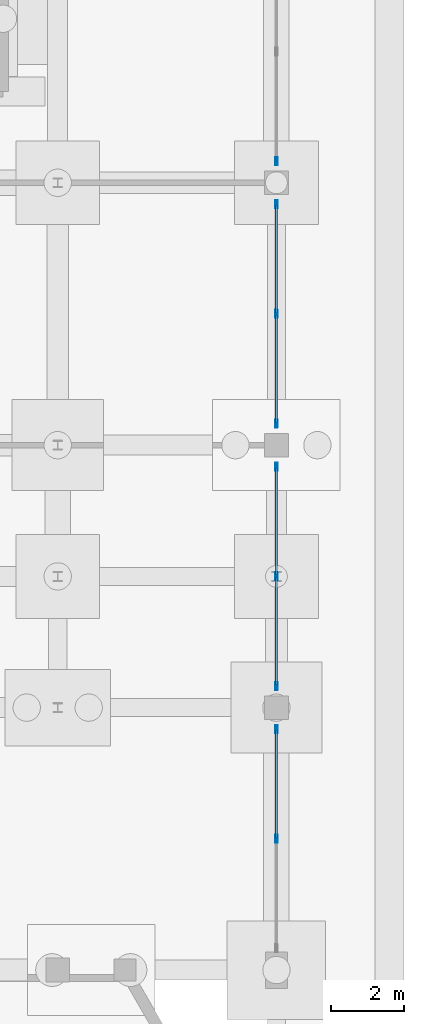
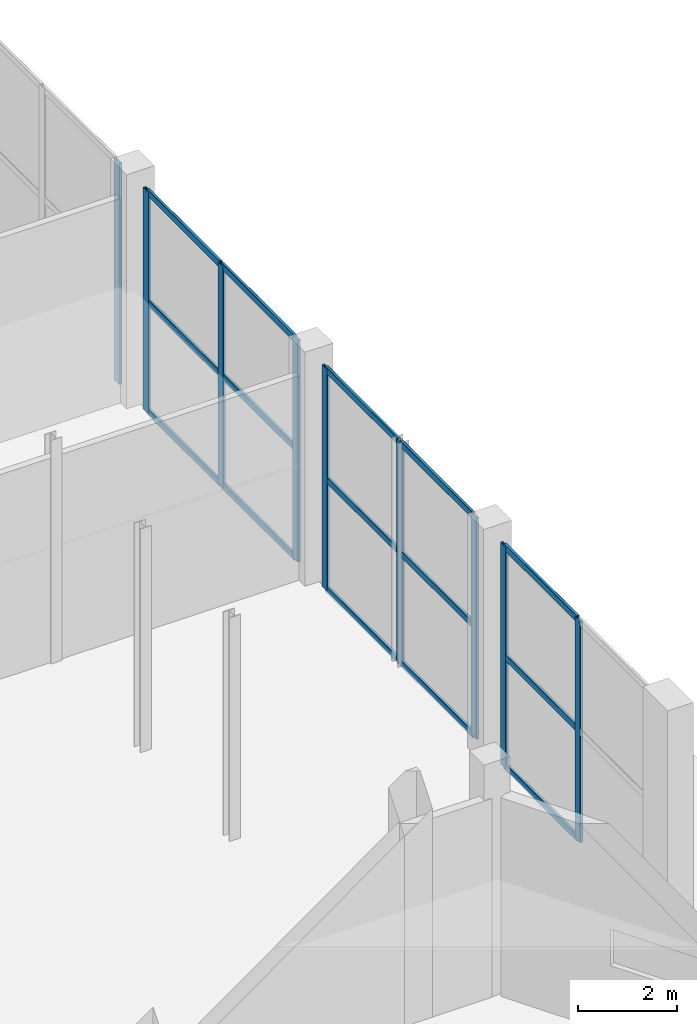
# One storey, part 66 of 103: 24 members, 4 elements without a shape of their own.
"""IFC4 building model written with IfcOpenShell, lengths in metres."""

from ifc_helpers import new_model, si_unit, direction, frame, origin, origin_2d, place, context, subcontext, project, spatial, hollow_rectangle, extrude, material, layer, layer_set, material_profile, profile_set, type_object, element, aggregate, save


model = new_model("IFC4")

# Units and contexts
model_context = context("Model", 3, precision=1e-05, world=origin(), true_north=direction((0.0, 1.0)))
body_context = subcontext(model_context, "Body", "Model", "MODEL_VIEW")
ifc_project = project(units=[si_unit("LENGTHUNIT", "METRE"), si_unit("AREAUNIT", "SQUARE_METRE"), si_unit("VOLUMEUNIT", "CUBIC_METRE"), si_unit("PLANEANGLEUNIT", "RADIAN"), si_unit("MASSUNIT", "GRAM", prefix="KILO")], contexts=[model_context])

# Site, building, storey
site_placement = place(None, origin())
site = spatial("IfcSite", under=ifc_project, at=site_placement, CompositionType="ELEMENT")
building_placement = place(site_placement, origin())
building = spatial("IfcBuilding", under=site, at=building_placement, Name="Dunvalen Ferry Terminal", CompositionType="ELEMENT")
storey_placement = place(building_placement, origin())
storey = spatial("IfcBuildingStorey", under=building, at=storey_placement, Name="L00", CompositionType="ELEMENT", Elevation=0.0)

# Curtain wall, members
ifc_material_1 = material(Name="Anodised marine aluminium and solar-control glazing", Category="aluminium")
ifc_layer = layer(ifc_material_1, 0.219970703125, Name="Anodised marine aluminium and solar-control glazing")
ifc_layer_set = layer_set([ifc_layer], Name="Anodised marine aluminium and solar-control glazing")
curtain_wall_type = type_object("IfcCurtainWallType", Name="ENV-CW-SYS-03", PredefinedType="NOTDEFINED", material=ifc_layer_set)
curtain_wall_1_placement = place(storey_placement, origin())
curtain_wall_1 = element("IfcCurtainWall", 1, at=curtain_wall_1_placement, inside=storey, type_object=curtain_wall_type, Name="L00 Curtain Wall CW-V2E-L00-1", PredefinedType="NOTDEFINED")
ifc_material_2 = material(Name="Anodised marine aluminium EN AW-6063 T6", Category="aluminium")
ifc_material_profile_1 = material_profile(ifc_material_2, hollow_rectangle(XDim=0.06494140625, YDim=0.219970703125, WallThickness=0.00390625, InnerFilletRadius=0.00390625, OuterFilletRadius=0.008056640625, at=origin_2d()), Name="Anodised marine aluminium EN AW-6063 T6")
ifc_profile_set_1 = profile_set([ifc_material_profile_1], Name="Anodised marine aluminium EN AW-6063 T6")
member_type_1 = type_object("IfcMemberType", Name="ENV-CW-MUL-1", PredefinedType="MULLION", material=ifc_profile_set_1)
member_1_placement = place(storey_placement, frame((168.0, 61.199951171875, 0.0), z_axis=(0.0, 0.0, 1.0), x_axis=(-1.0, 0.0, 0.0)))
member_1 = element("IfcMember", 2, at=member_1_placement, type_object=member_type_1, Name="CW-03 mullion 2", PredefinedType="MULLION", context=body_context, shape_type="SweptSolid", body=[
    extrude(hollow_rectangle(XDim=0.06494140625, YDim=0.219970703125, WallThickness=0.00390625, InnerFilletRadius=0.00390625, OuterFilletRadius=0.008056640625, at=origin_2d()), origin(), (0.0, 0.0, 1.0), 5.449951171875),
])
member_2_placement = place(storey_placement, frame((168.0, 64.20751953125, 0.0), z_axis=(0.0, 0.0, 1.0), x_axis=(-1.0, 0.0, 0.0)))
member_2 = element("IfcMember", 3, at=member_2_placement, type_object=member_type_1, Name="CW-03 mullion 3", PredefinedType="MULLION", context=body_context, shape_type="SweptSolid", body=[
    extrude(hollow_rectangle(XDim=0.06494140625, YDim=0.219970703125, WallThickness=0.00390625, InnerFilletRadius=0.00390625, OuterFilletRadius=0.008056640625, at=origin_2d()), origin(), (0.0, 0.0, 1.0), 5.449951171875),
])

curtain_wall_2_placement = place(storey_placement, origin())
curtain_wall_2 = element("IfcCurtainWall", 4, at=curtain_wall_2_placement, inside=storey, type_object=curtain_wall_type, Name="L00 Curtain Wall CW-V2E-L00-2", PredefinedType="NOTDEFINED")
member_3_placement = place(storey_placement, frame((168.0, 65.392578125, 0.0), z_axis=(0.0, 0.0, 1.0), x_axis=(-1.0, 0.0, 0.0)))
member_3 = element("IfcMember", 5, at=member_3_placement, type_object=member_type_1, Name="CW-03 mullion 1", PredefinedType="MULLION", context=body_context, shape_type="SweptSolid", body=[
    extrude(hollow_rectangle(XDim=0.06494140625, YDim=0.219970703125, WallThickness=0.00390625, InnerFilletRadius=0.00390625, OuterFilletRadius=0.008056640625, at=origin_2d()), origin(), (0.0, 0.0, 1.0), 5.449951171875),
])
member_4_placement = place(storey_placement, frame((168.0, 68.39990234375, 0.0), z_axis=(0.0, 0.0, 1.0), x_axis=(-1.0, 0.0, 0.0)))
member_4 = element("IfcMember", 6, at=member_4_placement, type_object=member_type_1, Name="CW-03 mullion 2", PredefinedType="MULLION", context=body_context, shape_type="SweptSolid", body=[
    extrude(hollow_rectangle(XDim=0.06494140625, YDim=0.219970703125, WallThickness=0.00390625, InnerFilletRadius=0.00390625, OuterFilletRadius=0.008056640625, at=origin_2d()), origin(), (0.0, 0.0, 1.0), 5.449951171875),
])
member_5_placement = place(storey_placement, frame((168.0, 71.407470703125, 0.0), z_axis=(0.0, 0.0, 1.0), x_axis=(-1.0, 0.0, 0.0)))
member_5 = element("IfcMember", 7, at=member_5_placement, type_object=member_type_1, Name="CW-03 mullion 3", PredefinedType="MULLION", context=body_context, shape_type="SweptSolid", body=[
    extrude(hollow_rectangle(XDim=0.06494140625, YDim=0.219970703125, WallThickness=0.00390625, InnerFilletRadius=0.00390625, OuterFilletRadius=0.008056640625, at=origin_2d()), origin(), (0.0, 0.0, 1.0), 5.449951171875),
])

curtain_wall_3_placement = place(storey_placement, origin())
curtain_wall_3 = element("IfcCurtainWall", 8, at=curtain_wall_3_placement, inside=storey, type_object=curtain_wall_type, Name="L00 Curtain Wall CW-V2E-L00-3", PredefinedType="NOTDEFINED")
member_6_placement = place(storey_placement, frame((168.0, 72.592529296875, 0.0), z_axis=(0.0, 0.0, 1.0), x_axis=(-1.0, 0.0, 0.0)))
member_6 = element("IfcMember", 9, at=member_6_placement, type_object=member_type_1, Name="CW-03 mullion 1", PredefinedType="MULLION", context=body_context, shape_type="SweptSolid", body=[
    extrude(hollow_rectangle(XDim=0.06494140625, YDim=0.219970703125, WallThickness=0.00390625, InnerFilletRadius=0.00390625, OuterFilletRadius=0.008056640625, at=origin_2d()), origin(), (0.0, 0.0, 1.0), 5.449951171875),
])
member_7_placement = place(storey_placement, frame((168.0, 75.60009765625, 0.0), z_axis=(0.0, 0.0, 1.0), x_axis=(-1.0, 0.0, 0.0)))
member_7 = element("IfcMember", 10, at=member_7_placement, type_object=member_type_1, Name="CW-03 mullion 2", PredefinedType="MULLION", context=body_context, shape_type="SweptSolid", body=[
    extrude(hollow_rectangle(XDim=0.06494140625, YDim=0.219970703125, WallThickness=0.00390625, InnerFilletRadius=0.00390625, OuterFilletRadius=0.008056640625, at=origin_2d()), origin(), (0.0, 0.0, 1.0), 5.449951171875),
])
member_8_placement = place(storey_placement, frame((168.0, 78.607421875, 0.0), z_axis=(0.0, 0.0, 1.0), x_axis=(-1.0, 0.0, 0.0)))
member_8 = element("IfcMember", 11, at=member_8_placement, type_object=member_type_1, Name="CW-03 mullion 3", PredefinedType="MULLION", context=body_context, shape_type="SweptSolid", body=[
    extrude(hollow_rectangle(XDim=0.06494140625, YDim=0.219970703125, WallThickness=0.00390625, InnerFilletRadius=0.00390625, OuterFilletRadius=0.008056640625, at=origin_2d()), origin(), (0.0, 0.0, 1.0), 5.449951171875),
])

# Curtain wall, member
curtain_wall_4_placement = place(storey_placement, origin())
curtain_wall_4 = element("IfcCurtainWall", 12, at=curtain_wall_4_placement, inside=storey, type_object=curtain_wall_type, Name="L00 Curtain Wall CW-V2E-L00-4", PredefinedType="NOTDEFINED")
member_9_placement = place(storey_placement, frame((168.0, 79.79248046875, 0.0), z_axis=(0.0, 0.0, 1.0), x_axis=(-1.0, 0.0, 0.0)))
member_9 = element("IfcMember", 13, at=member_9_placement, type_object=member_type_1, Name="CW-03 mullion 1", PredefinedType="MULLION", context=body_context, shape_type="SweptSolid", body=[
    extrude(hollow_rectangle(XDim=0.06494140625, YDim=0.219970703125, WallThickness=0.00390625, InnerFilletRadius=0.00390625, OuterFilletRadius=0.008056640625, at=origin_2d()), origin(), (0.0, 0.0, 1.0), 5.449951171875),
])
aggregate(curtain_wall_4, [member_9])

# Member
ifc_material_profile_2 = material_profile(ifc_material_2, hollow_rectangle(XDim=0.06494140625, YDim=0.159912109375, WallThickness=0.00341796875, InnerFilletRadius=0.00341796875, OuterFilletRadius=0.007080078125, at=origin_2d()), Name="Anodised marine aluminium EN AW-6063 T6")
ifc_profile_set_2 = profile_set([ifc_material_profile_2], Name="Anodised marine aluminium EN AW-6063 T6")
member_type_2 = type_object("IfcMemberType", Name="ENV-CW-TRN-1", PredefinedType="USERDEFINED", material=ifc_profile_set_2)
member_10_placement = place(storey_placement, frame((168.0, 61.232421875, 0.032470703125), z_axis=(0.0, 1.0, 0.0), x_axis=(-1.0, 0.0, 0.0)))
member_10 = element("IfcMember", 14, at=member_10_placement, type_object=member_type_2, Name="CW-03 transom 2.1", ObjectType="TRANSOM", PredefinedType="USERDEFINED", context=body_context, shape_type="SweptSolid", body=[
    extrude(hollow_rectangle(XDim=0.06494140625, YDim=0.159912109375, WallThickness=0.00341796875, InnerFilletRadius=0.00341796875, OuterFilletRadius=0.007080078125, at=origin_2d()), origin(), (0.0, 0.0, 1.0), 2.942626953125),
])

member_11_placement = place(storey_placement, frame((168.0, 61.232421875, 2.72509765625), z_axis=(0.0, 1.0, 0.0), x_axis=(-1.0, 0.0, 0.0)))
member_11 = element("IfcMember", 15, at=member_11_placement, type_object=member_type_2, Name="CW-03 transom 2.2", ObjectType="TRANSOM", PredefinedType="USERDEFINED", context=body_context, shape_type="SweptSolid", body=[
    extrude(hollow_rectangle(XDim=0.06494140625, YDim=0.159912109375, WallThickness=0.00341796875, InnerFilletRadius=0.00341796875, OuterFilletRadius=0.007080078125, at=origin_2d()), origin(), (0.0, 0.0, 1.0), 2.942626953125),
])

member_12_placement = place(storey_placement, frame((168.0, 61.232421875, 5.41748046875), z_axis=(0.0, 1.0, 0.0), x_axis=(-1.0, 0.0, 0.0)))
member_12 = element("IfcMember", 16, at=member_12_placement, type_object=member_type_2, Name="CW-03 transom 2.3", ObjectType="TRANSOM", PredefinedType="USERDEFINED", context=body_context, shape_type="SweptSolid", body=[
    extrude(hollow_rectangle(XDim=0.06494140625, YDim=0.159912109375, WallThickness=0.00341796875, InnerFilletRadius=0.00341796875, OuterFilletRadius=0.007080078125, at=origin_2d()), origin(), (0.0, 0.0, 1.0), 2.942626953125),
])

aggregate(curtain_wall_1, [member_1, member_2, member_10, member_11, member_12])

member_13_placement = place(storey_placement, frame((168.0, 65.425048828125, 0.032470703125), z_axis=(0.0, 1.0, 0.0), x_axis=(-1.0, 0.0, 0.0)))
member_13 = element("IfcMember", 17, at=member_13_placement, type_object=member_type_2, Name="CW-03 transom 1.1", ObjectType="TRANSOM", PredefinedType="USERDEFINED", context=body_context, shape_type="SweptSolid", body=[
    extrude(hollow_rectangle(XDim=0.06494140625, YDim=0.159912109375, WallThickness=0.00341796875, InnerFilletRadius=0.00341796875, OuterFilletRadius=0.007080078125, at=origin_2d()), origin(), (0.0, 0.0, 1.0), 2.9423828125),
])

member_14_placement = place(storey_placement, frame((168.0, 65.425048828125, 2.72509765625), z_axis=(0.0, 1.0, 0.0), x_axis=(-1.0, 0.0, 0.0)))
member_14 = element("IfcMember", 18, at=member_14_placement, type_object=member_type_2, Name="CW-03 transom 1.2", ObjectType="TRANSOM", PredefinedType="USERDEFINED", context=body_context, shape_type="SweptSolid", body=[
    extrude(hollow_rectangle(XDim=0.06494140625, YDim=0.159912109375, WallThickness=0.00341796875, InnerFilletRadius=0.00341796875, OuterFilletRadius=0.007080078125, at=origin_2d()), origin(), (0.0, 0.0, 1.0), 2.9423828125),
])

member_15_placement = place(storey_placement, frame((168.0, 65.425048828125, 5.41748046875), z_axis=(0.0, 1.0, 0.0), x_axis=(-1.0, 0.0, 0.0)))
member_15 = element("IfcMember", 19, at=member_15_placement, type_object=member_type_2, Name="CW-03 transom 1.3", ObjectType="TRANSOM", PredefinedType="USERDEFINED", context=body_context, shape_type="SweptSolid", body=[
    extrude(hollow_rectangle(XDim=0.06494140625, YDim=0.159912109375, WallThickness=0.00341796875, InnerFilletRadius=0.00341796875, OuterFilletRadius=0.007080078125, at=origin_2d()), origin(), (0.0, 0.0, 1.0), 2.9423828125),
])

member_16_placement = place(storey_placement, frame((168.0, 68.4326171875, 0.032470703125), z_axis=(0.0, 1.0, 0.0), x_axis=(-1.0, 0.0, 0.0)))
member_16 = element("IfcMember", 20, at=member_16_placement, type_object=member_type_2, Name="CW-03 transom 2.1", ObjectType="TRANSOM", PredefinedType="USERDEFINED", context=body_context, shape_type="SweptSolid", body=[
    extrude(hollow_rectangle(XDim=0.06494140625, YDim=0.159912109375, WallThickness=0.00341796875, InnerFilletRadius=0.00341796875, OuterFilletRadius=0.007080078125, at=origin_2d()), origin(), (0.0, 0.0, 1.0), 2.9423828125),
])

member_17_placement = place(storey_placement, frame((168.0, 68.4326171875, 2.72509765625), z_axis=(0.0, 1.0, 0.0), x_axis=(-1.0, 0.0, 0.0)))
member_17 = element("IfcMember", 21, at=member_17_placement, type_object=member_type_2, Name="CW-03 transom 2.2", ObjectType="TRANSOM", PredefinedType="USERDEFINED", context=body_context, shape_type="SweptSolid", body=[
    extrude(hollow_rectangle(XDim=0.06494140625, YDim=0.159912109375, WallThickness=0.00341796875, InnerFilletRadius=0.00341796875, OuterFilletRadius=0.007080078125, at=origin_2d()), origin(), (0.0, 0.0, 1.0), 2.9423828125),
])

member_18_placement = place(storey_placement, frame((168.0, 68.4326171875, 5.41748046875), z_axis=(0.0, 1.0, 0.0), x_axis=(-1.0, 0.0, 0.0)))
member_18 = element("IfcMember", 22, at=member_18_placement, type_object=member_type_2, Name="CW-03 transom 2.3", ObjectType="TRANSOM", PredefinedType="USERDEFINED", context=body_context, shape_type="SweptSolid", body=[
    extrude(hollow_rectangle(XDim=0.06494140625, YDim=0.159912109375, WallThickness=0.00341796875, InnerFilletRadius=0.00341796875, OuterFilletRadius=0.007080078125, at=origin_2d()), origin(), (0.0, 0.0, 1.0), 2.9423828125),
])

aggregate(curtain_wall_2, [member_3, member_4, member_5, member_13, member_14, member_15, member_16, member_17, member_18])

member_19_placement = place(storey_placement, frame((168.0, 72.625, 0.032470703125), z_axis=(0.0, 1.0, 0.0), x_axis=(-1.0, 0.0, 0.0)))
member_19 = element("IfcMember", 23, at=member_19_placement, type_object=member_type_2, Name="CW-03 transom 1.1", ObjectType="TRANSOM", PredefinedType="USERDEFINED", context=body_context, shape_type="SweptSolid", body=[
    extrude(hollow_rectangle(XDim=0.06494140625, YDim=0.159912109375, WallThickness=0.00341796875, InnerFilletRadius=0.00341796875, OuterFilletRadius=0.007080078125, at=origin_2d()), origin(), (0.0, 0.0, 1.0), 2.9423828125),
])

member_20_placement = place(storey_placement, frame((168.0, 72.625, 2.72509765625), z_axis=(0.0, 1.0, 0.0), x_axis=(-1.0, 0.0, 0.0)))
member_20 = element("IfcMember", 24, at=member_20_placement, type_object=member_type_2, Name="CW-03 transom 1.2", ObjectType="TRANSOM", PredefinedType="USERDEFINED", context=body_context, shape_type="SweptSolid", body=[
    extrude(hollow_rectangle(XDim=0.06494140625, YDim=0.159912109375, WallThickness=0.00341796875, InnerFilletRadius=0.00341796875, OuterFilletRadius=0.007080078125, at=origin_2d()), origin(), (0.0, 0.0, 1.0), 2.9423828125),
])

member_21_placement = place(storey_placement, frame((168.0, 72.625, 5.41748046875), z_axis=(0.0, 1.0, 0.0), x_axis=(-1.0, 0.0, 0.0)))
member_21 = element("IfcMember", 25, at=member_21_placement, type_object=member_type_2, Name="CW-03 transom 1.3", ObjectType="TRANSOM", PredefinedType="USERDEFINED", context=body_context, shape_type="SweptSolid", body=[
    extrude(hollow_rectangle(XDim=0.06494140625, YDim=0.159912109375, WallThickness=0.00341796875, InnerFilletRadius=0.00341796875, OuterFilletRadius=0.007080078125, at=origin_2d()), origin(), (0.0, 0.0, 1.0), 2.9423828125),
])

member_22_placement = place(storey_placement, frame((168.0, 75.632568359375, 0.032470703125), z_axis=(0.0, 1.0, 0.0), x_axis=(-1.0, 0.0, 0.0)))
member_22 = element("IfcMember", 26, at=member_22_placement, type_object=member_type_2, Name="CW-03 transom 2.1", ObjectType="TRANSOM", PredefinedType="USERDEFINED", context=body_context, shape_type="SweptSolid", body=[
    extrude(hollow_rectangle(XDim=0.06494140625, YDim=0.159912109375, WallThickness=0.00341796875, InnerFilletRadius=0.00341796875, OuterFilletRadius=0.007080078125, at=origin_2d()), origin(), (0.0, 0.0, 1.0), 2.9423828125),
])

member_23_placement = place(storey_placement, frame((168.0, 75.632568359375, 2.72509765625), z_axis=(0.0, 1.0, 0.0), x_axis=(-1.0, 0.0, 0.0)))
member_23 = element("IfcMember", 27, at=member_23_placement, type_object=member_type_2, Name="CW-03 transom 2.2", ObjectType="TRANSOM", PredefinedType="USERDEFINED", context=body_context, shape_type="SweptSolid", body=[
    extrude(hollow_rectangle(XDim=0.06494140625, YDim=0.159912109375, WallThickness=0.00341796875, InnerFilletRadius=0.00341796875, OuterFilletRadius=0.007080078125, at=origin_2d()), origin(), (0.0, 0.0, 1.0), 2.9423828125),
])

member_24_placement = place(storey_placement, frame((168.0, 75.632568359375, 5.41748046875), z_axis=(0.0, 1.0, 0.0), x_axis=(-1.0, 0.0, 0.0)))
member_24 = element("IfcMember", 28, at=member_24_placement, type_object=member_type_2, Name="CW-03 transom 2.3", ObjectType="TRANSOM", PredefinedType="USERDEFINED", context=body_context, shape_type="SweptSolid", body=[
    extrude(hollow_rectangle(XDim=0.06494140625, YDim=0.159912109375, WallThickness=0.00341796875, InnerFilletRadius=0.00341796875, OuterFilletRadius=0.007080078125, at=origin_2d()), origin(), (0.0, 0.0, 1.0), 2.9423828125),
])

aggregate(curtain_wall_3, [member_6, member_7, member_8, member_19, member_20, member_21, member_22, member_23, member_24])

save(model, "model.ifc")
